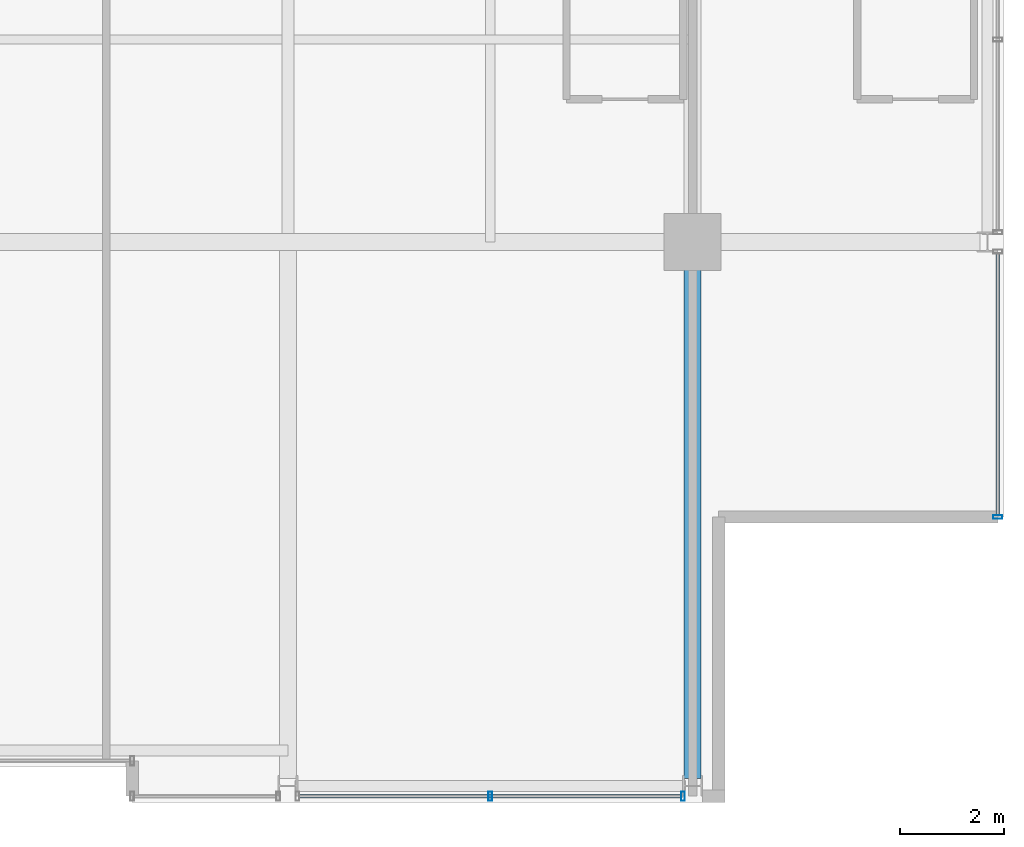
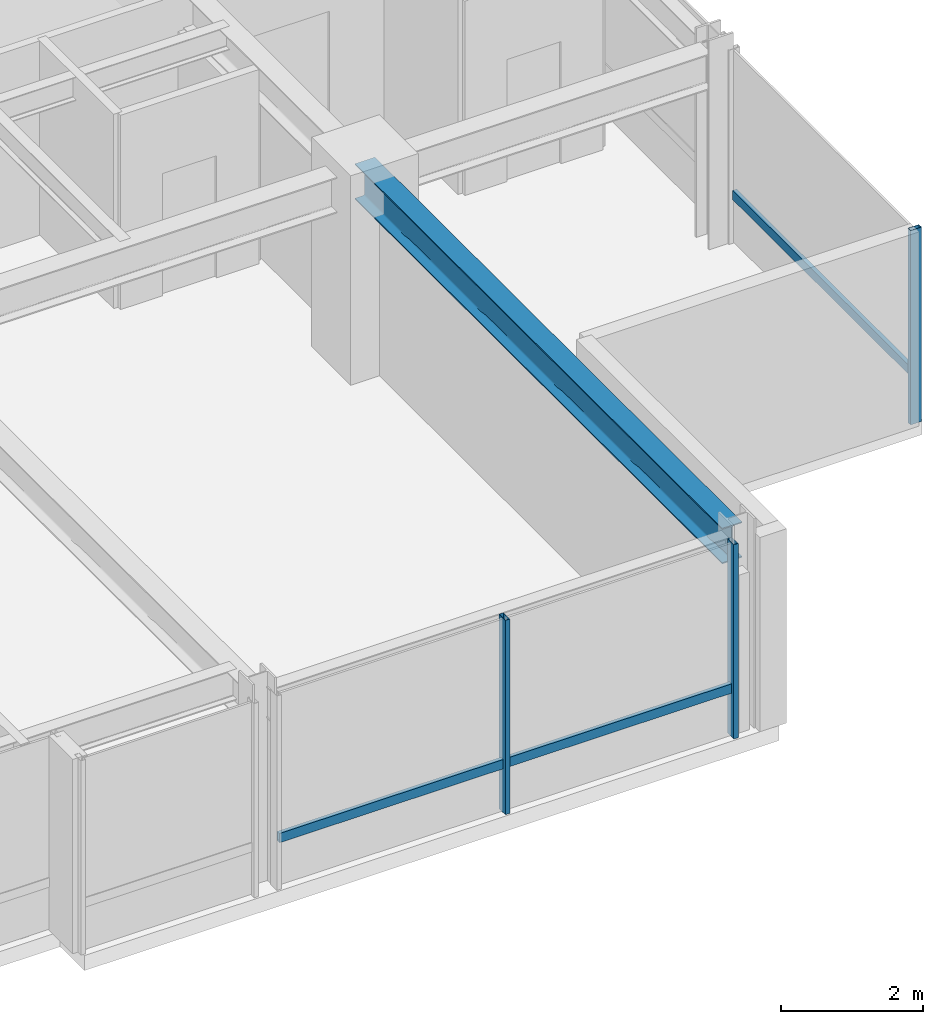
# One storey, part 12 of 30: 5 members, 1 beam, 2 elements without a shape of their own.
"""IFC4 building model written with IfcOpenShell, lengths in metres."""

from ifc_helpers import new_model, si_unit, direction, frame, origin, origin_2d, place, context, subcontext, project, spatial, hollow_rectangle, i_section, extrude, material, layer, layer_set, material_profile, profile_set, type_object, element, aggregate, save


model = new_model("IFC4")

# Units and contexts
model_context = context("Model", 3, precision=1e-05, world=origin(), true_north=direction((0.0, 1.0)))
body_context = subcontext(model_context, "Body", "Model", "MODEL_VIEW")
ifc_project = project(units=[si_unit("LENGTHUNIT", "METRE"), si_unit("AREAUNIT", "SQUARE_METRE"), si_unit("VOLUMEUNIT", "CUBIC_METRE"), si_unit("PLANEANGLEUNIT", "RADIAN"), si_unit("MASSUNIT", "GRAM", prefix="KILO")], contexts=[model_context])

# Site, building, storey
site_placement = place(None, origin())
site = spatial("IfcSite", under=ifc_project, at=site_placement, CompositionType="ELEMENT")
building_placement = place(site_placement, origin())
building = spatial("IfcBuilding", under=site, at=building_placement, Name="Drelvath Grand Hotel", CompositionType="ELEMENT")
storey_placement = place(building_placement, frame((0.0, 0.0, 215.89990234375)))
storey = spatial("IfcBuildingStorey", under=building, at=storey_placement, Name="L56", CompositionType="ELEMENT", Elevation=215.89990234375)

# Curtain wall, member
ifc_material_1 = material(Name="Platinum-Mist Anodised Aluminium Frame", Category="aluminium")
ifc_layer = layer(ifc_material_1, 0.199951171875)
ifc_layer_set = layer_set([ifc_layer], Name="Platinum-Mist Anodised Aluminium Frame")
curtain_wall_type = type_object("IfcCurtainWallType", Name="Stick Curtain Wall CW-05 Platinum Mist High-Rise", PredefinedType="NOTDEFINED", material=ifc_layer_set)
curtain_wall_1_placement = place(storey_placement, origin())
curtain_wall_1 = element("IfcCurtainWall", 1, at=curtain_wall_1_placement, inside=storey, type_object=curtain_wall_type, Name="L56 CW-05 Curtain Wall CW05-L56-ES1", PredefinedType="NOTDEFINED")
ifc_material_profile_1 = material_profile(ifc_material_1, hollow_rectangle(XDim=0.06494140625, YDim=0.159912109375, WallThickness=0.00390625, at=origin_2d()), Name="HSS160X65X4")
ifc_profile_set_1 = profile_set([ifc_material_profile_1], Name="Platinum-Mist Anodised Aluminium Frame")
member_type_1 = type_object("IfcMemberType", Name="Curtain Wall Horizontal Transom CW-05 HSS160X65X4", PredefinedType="USERDEFINED", material=ifc_profile_set_1)
member_1_placement = place(storey_placement, frame((22.080078125, 10.57470703125, 0.835205078125), z_axis=(0.0, -1.0, 0.0), x_axis=(1.0, 0.0, 0.0)))
member_1 = element("IfcMember", 2, at=member_1_placement, type_object=member_type_1, Name="CW05-L56-ES1 Sill Transom", ObjectType="TRANSOM", PredefinedType="USERDEFINED", context=body_context, shape_type="SweptSolid", body=[
    extrude(hollow_rectangle(XDim=0.06494140625, YDim=0.159912109375, WallThickness=0.00390625, at=origin_2d()), origin(), (0.0, 0.0, 1.0), 5.03466796875),
])

curtain_wall_2_placement = place(storey_placement, origin())
curtain_wall_2 = element("IfcCurtainWall", 3, at=curtain_wall_2_placement, inside=storey, type_object=curtain_wall_type, Name="L56 CW-05 Curtain Wall CW05-L56-SE2", PredefinedType="NOTDEFINED")
member_2_placement = place(storey_placement, frame((15.974609375, 0.1201171875, 0.835205078125), z_axis=(-1.0, 0.0, 0.0), x_axis=(0.0, -1.0, 0.0)))
member_2 = element("IfcMember", 4, at=member_2_placement, type_object=member_type_1, Name="CW05-L56-SE2 Sill Transom", ObjectType="TRANSOM", PredefinedType="USERDEFINED", context=body_context, shape_type="SweptSolid", body=[
    extrude(hollow_rectangle(XDim=0.06494140625, YDim=0.159912109375, WallThickness=0.00390625, at=origin_2d()), origin(), (0.0, 0.0, 1.0), 7.349365234375),
])

# Member
ifc_material_profile_2 = material_profile(ifc_material_1, hollow_rectangle(XDim=0.074951171875, YDim=0.179931640625, WallThickness=0.0048828125, at=origin_2d()), Name="HSS180X75X5")
ifc_profile_set_2 = profile_set([ifc_material_profile_2], Name="Platinum-Mist Anodised Aluminium Frame")
member_type_2 = type_object("IfcMemberType", Name="Curtain Wall Vertical Mullion CW-05 HSS180X75X5", PredefinedType="MULLION", material=ifc_profile_set_2)
member_3_placement = place(storey_placement, frame((22.080078125, 5.5, 0.0), z_axis=(0.0, 0.0, 1.0), x_axis=(0.0, 1.0, 0.0)))
member_3 = element("IfcMember", 5, at=member_3_placement, type_object=member_type_2, Name="CW05-L56-ES1 Mullion 2", PredefinedType="MULLION", context=body_context, shape_type="SweptSolid", body=[
    extrude(hollow_rectangle(XDim=0.074951171875, YDim=0.179931640625, WallThickness=0.0048828125, at=origin_2d()), origin(), (0.0, 0.0, 1.0), 3.340087890625),
])

aggregate(curtain_wall_1, [member_3, member_1])

member_4_placement = place(storey_placement, frame((16.0146484375, 0.1201171875, 0.0), z_axis=(0.0, 0.0, 1.0), x_axis=(1.0, 0.0, 0.0)))
member_4 = element("IfcMember", 6, at=member_4_placement, type_object=member_type_2, Name="CW05-L56-SE2 Mullion 1", PredefinedType="MULLION", context=body_context, shape_type="SweptSolid", body=[
    extrude(hollow_rectangle(XDim=0.074951171875, YDim=0.179931640625, WallThickness=0.0048828125, at=origin_2d()), origin(), (0.0, 0.0, 1.0), 3.340087890625),
])

member_5_placement = place(storey_placement, frame((12.300048828125, 0.1201171875, 0.0), z_axis=(0.0, 0.0, 1.0), x_axis=(1.0, 0.0, 0.0)))
member_5 = element("IfcMember", 7, at=member_5_placement, type_object=member_type_2, Name="CW05-L56-SE2 Mullion 2", PredefinedType="MULLION", context=body_context, shape_type="SweptSolid", body=[
    extrude(hollow_rectangle(XDim=0.074951171875, YDim=0.179931640625, WallThickness=0.0048828125, at=origin_2d()), origin(), (0.0, 0.0, 1.0), 3.340087890625),
])

aggregate(curtain_wall_2, [member_4, member_5, member_2])

# Beam
ifc_material_2 = material(Name="Steel ASTM A992 Gr 50", Category="steel")
ifc_material_profile_3 = material_profile(ifc_material_2, i_section(OverallWidth=0.323974609375, OverallDepth=0.611083984375, WebThickness=0.0126953125, FlangeThickness=0.01904296875, FilletRadius=0.02197265625, at=origin_2d()), Name="W24X104")
ifc_profile_set_3 = profile_set([ifc_material_profile_3], Name="Steel ASTM A992 Gr 50")
beam_type = type_object("IfcBeamType", Name="Primary Floor Girder W24X104", PredefinedType="BEAM", material=ifc_profile_set_3)
beam_placement = place(storey_placement, frame((16.199951171875, 0.4599609375, 3.034423828125), z_axis=(0.0, 1.0, 0.0), x_axis=(-1.0, 0.0, 0.0)))
element("IfcBeam", 8, at=beam_placement, inside=storey, type_object=beam_type, Name="L56 South Grid Girder 7", PredefinedType="BEAM", context=body_context, shape_type="SweptSolid", body=[
    extrude(i_section(OverallWidth=0.323974609375, OverallDepth=0.611083984375, WebThickness=0.0126953125, FlangeThickness=0.01904296875, FilletRadius=0.02197265625, at=origin_2d()), origin(), (0.0, 0.0, 1.0), 10.340087890625),
])

save(model, "model.ifc")
